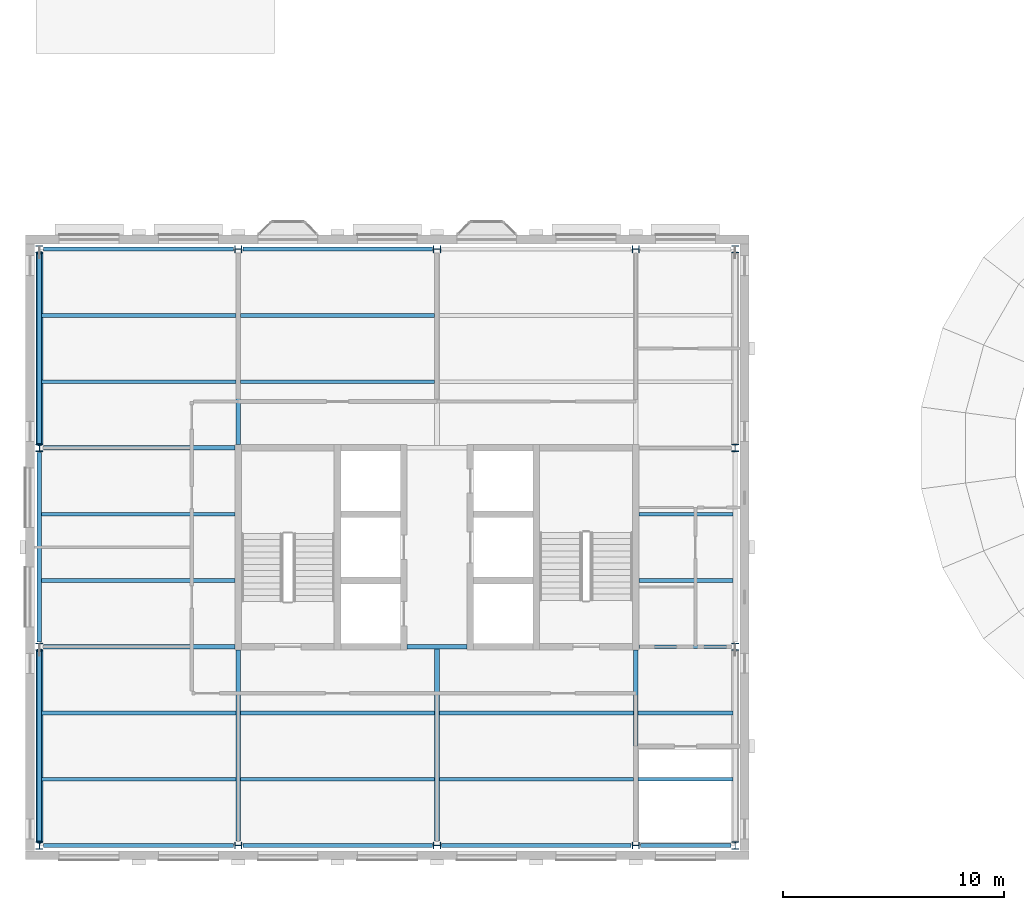
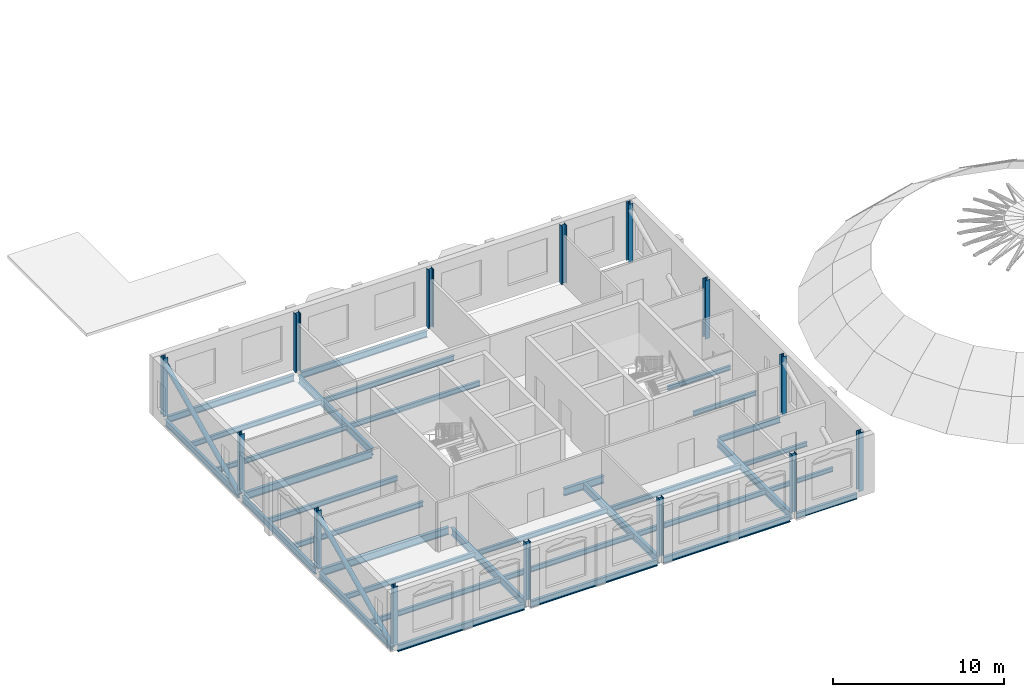
# One storey, part 1 of 15: 33 beams, 14 columns, 2 members.
"""IFC4 building model written with IfcOpenShell, lengths in metres."""

import ifcopenshell
import ifcopenshell.guid

model = None  # the IFC model being written
_history = None  # IfcOwnerHistory: only IFC2X3 demands one
_inside = {}  # id of a spatial element -> (the spatial element, [elements in it])
_under = {}  # id of a project, library or spatial element -> (it, [spatial elements below it])
_declared = {}  # id of a project -> (the project, [libraries it declares])
_typed = {}  # id of a type object -> (the type object, [elements of that type])
_made_of = {}  # id of a material, layer set ... -> (it, [elements and type objects made of it])


def new_model(schema):
    """Start an empty IFC model of exactly this schema.

    Asked for "IFC4X3", IfcOpenShell would pick the latest addendum, in which some entities
    have other attributes; the version numbers below select the first issue.
    IFC2X3 requires an IfcOwnerHistory on every rooted entity: one is made here for all.
    """
    global model, _history
    if schema == "IFC4X3":
        model = ifcopenshell.file(schema_version=(4, 3, 0, 0))
    else:
        model = ifcopenshell.file(schema=schema)
    _inside.clear()
    _under.clear()
    _declared.clear()
    _typed.clear()
    _made_of.clear()
    _history = None
    if model.schema == "IFC2X3":
        org = make("IfcOrganization", Name="unknown")
        user = make(
            "IfcPersonAndOrganization",
            ThePerson=make("IfcPerson", FamilyName="unknown"),
            TheOrganization=org,
        )
        app = make(
            "IfcApplication",
            ApplicationDeveloper=org,
            Version="unknown",
            ApplicationFullName="unknown",
            ApplicationIdentifier="unknown",
        )
        _history = make(
            "IfcOwnerHistory",
            OwningUser=user,
            OwningApplication=app,
            ChangeAction="ADDED",
            CreationDate=0,
        )
    return model


def make(cls, **values):
    """One entity of the class cls with the attributes given. An attribute that is None is left unset."""
    return model.create_entity(
        cls, **{name: value for name, value in values.items() if value is not None}
    )


def rooted(cls, **values):
    """An entity with a GlobalId (a new one), such as an element, a storey or a relation."""
    return make(cls, GlobalId=ifcopenshell.guid.new(), OwnerHistory=_history, **values)


def si_unit(unit_type, name, prefix=None):
    """IfcSIUnit, for example si_unit("LENGTHUNIT", "METRE", prefix="MILLI")."""
    return make("IfcSIUnit", UnitType=unit_type, Prefix=prefix, Name=name)


def assignment(units):
    """IfcUnitAssignment: the units of a project."""
    return None if units is None else make("IfcUnitAssignment", Units=units)


def point(xyz):
    """IfcCartesianPoint."""
    return None if xyz is None else make("IfcCartesianPoint", Coordinates=xyz)


def direction(xyz):
    """IfcDirection."""
    return None if xyz is None else make("IfcDirection", DirectionRatios=xyz)


def frame(location, z_axis=None, x_axis=None):
    """IfcAxis2Placement3D, a coordinate frame: its origin and axes. An axis left out is left unset."""
    return make(
        "IfcAxis2Placement3D",
        Location=point(location),
        Axis=direction(z_axis),
        RefDirection=direction(x_axis),
    )


def frame_2d(location, x_axis=None):
    """IfcAxis2Placement2D, a coordinate frame in the plane: its origin and x axis."""
    return make(
        "IfcAxis2Placement2D", Location=point(location), RefDirection=direction(x_axis)
    )


def origin():
    """The frame at (0, 0, 0) with its axes left unset."""
    return frame((0.0, 0.0, 0.0))


def origin_2d():
    """The frame at (0, 0) in the plane with its x axis left unset."""
    return frame_2d((0.0, 0.0))


def place(relative_to, where):
    """IfcLocalPlacement: puts the frame where relative to a parent placement (None: the world)."""
    return make(
        "IfcLocalPlacement", PlacementRelTo=relative_to, RelativePlacement=where
    )


def context(
    kind, dimensions, precision=None, world=None, true_north=None, identifier=None
):
    """IfcGeometricRepresentationContext, for example the 3D "Model" context."""
    return make(
        "IfcGeometricRepresentationContext",
        ContextIdentifier=identifier,
        ContextType=kind,
        CoordinateSpaceDimension=dimensions,
        Precision=precision,
        WorldCoordinateSystem=world,
        TrueNorth=true_north,
    )


def subcontext(parent, identifier, kind, view, scale=None):
    """IfcGeometricRepresentationSubContext, for example "Body" below "Model"."""
    return make(
        "IfcGeometricRepresentationSubContext",
        ContextIdentifier=identifier,
        ContextType=kind,
        ParentContext=parent,
        TargetScale=scale,
        TargetView=view,
    )


def project(units=None, contexts=None):
    """IfcProject with its units and contexts."""
    return rooted(
        "IfcProject",
        Name="project",
        RepresentationContexts=contexts,
        UnitsInContext=assignment(units),
    )


def spatial(cls, under=None, at=None, **own):
    """A site, building, storey or space (cls), placed at a placement, below another one or the project."""
    s = rooted(cls, ObjectPlacement=at, **own)
    if under is not None:
        _under.setdefault(under.id(), (under, []))[1].append(s)
    return s


def profile(cls, at=None, kind="AREA", **sizes):
    """A parametric profile (cls). Its sizes go by their IFC names, for example OverallWidth=200.0."""
    return make(cls, ProfileType=kind, Position=at, **sizes)


def hollow_circle(**sizes):
    """IfcCircleHollowProfileDef."""
    return profile("IfcCircleHollowProfileDef", **sizes)


def i_section(**sizes):
    """IfcIShapeProfileDef."""
    return profile("IfcIShapeProfileDef", **sizes)


def extrude(swept, where, along, depth):
    """IfcExtrudedAreaSolid: the profile swept, set in the frame where, extruded along a direction by depth."""
    return make(
        "IfcExtrudedAreaSolid",
        SweptArea=swept,
        Position=where,
        ExtrudedDirection=direction(along),
        Depth=depth,
    )


def shape(context_of_items, identifier, shape_type, items):
    """IfcShapeRepresentation: the items that make up one representation, for example the "Body"."""
    return make(
        "IfcShapeRepresentation",
        ContextOfItems=context_of_items,
        RepresentationIdentifier=identifier,
        RepresentationType=shape_type,
        Items=items,
    )


def material(Name=None, Category=None):
    """IfcMaterial."""
    return make("IfcMaterial", Name=Name, Category=Category)


def material_profile(
    of_material, cross_section, Name=None, Category=None, Priority=None
):
    """IfcMaterialProfile: a cross section and its material."""
    return make(
        "IfcMaterialProfile",
        Name=Name,
        Material=of_material,
        Profile=cross_section,
        Priority=Priority,
        Category=Category,
    )


def profile_set(profiles, Name=None, composite=None):
    """IfcMaterialProfileSet."""
    return make(
        "IfcMaterialProfileSet",
        Name=Name,
        MaterialProfiles=profiles,
        CompositeProfile=composite,
    )


def made_of(thing, what):
    """Note that an element or type object is made of a material, layer set ...; save() writes the relation."""
    if what is not None:
        _made_of.setdefault(what.id(), (what, []))[1].append(thing)
    return thing


def type_object(cls, material=None, **own):
    """A type object (cls), such as IfcWallType, which elements share."""
    return made_of(rooted(cls, **own), material)


def element(
    cls,
    number,
    at=None,
    inside=None,
    cuts=None,
    type_object=None,
    material=None,
    context=None,
    identifier="Body",
    shape_type=None,
    held_by="IfcProductDefinitionShape",
    body=None,
    shapes=None,
    **own,
):
    """One element of the class cls, such as IfcWall. Its Tag is "e" and its number.

    at: its placement. inside: the storey or other place that contains it. cuts: it is an
    opening in that element (IfcRelVoidsElement). A single representation is given by context,
    identifier, shape_type and body (its items); several are given by shapes. held_by: the class
    of the entity that holds the representations. save() writes the other relations.
    """
    e = rooted(cls, Tag="e%d" % number, ObjectPlacement=at, **own)
    if body is not None:
        shapes = [shape(context, identifier, shape_type, body)]
    if shapes is not None:
        e.Representation = make(held_by, Representations=shapes)
    if inside is not None:
        _inside.setdefault(inside.id(), (inside, []))[1].append(e)
    if cuts is not None:
        rooted(
            "IfcRelVoidsElement", RelatingBuildingElement=cuts, RelatedOpeningElement=e
        )
    if type_object is not None:
        _typed.setdefault(type_object.id(), (type_object, []))[1].append(e)
    return made_of(e, material)


def aggregate(whole, parts):
    """IfcRelAggregates: a whole, such as a stair, and the parts it consists of."""
    return rooted("IfcRelAggregates", RelatingObject=whole, RelatedObjects=parts)


def save(model, path):
    """Write the relations noted so far, then the file.

    IfcRelAggregates (storeys below a building ...), IfcRelContainedInSpatialStructure (elements
    in a storey), IfcRelDefinesByType, IfcRelAssociatesMaterial and IfcRelDeclares: one each for
    every whole, place, type object, material and project.
    """
    for whole, parts in _under.values():
        aggregate(whole, parts)
    for where, things in _inside.values():
        rooted(
            "IfcRelContainedInSpatialStructure",
            RelatedElements=things,
            RelatingStructure=where,
        )
    for kind, things in _typed.values():
        rooted("IfcRelDefinesByType", RelatedObjects=things, RelatingType=kind)
    for what, things in _made_of.values():
        rooted("IfcRelAssociatesMaterial", RelatedObjects=things, RelatingMaterial=what)
    for by, libraries in _declared.values():
        rooted("IfcRelDeclares", RelatingContext=by, RelatedDefinitions=libraries)
    model.write(path)


model = new_model("IFC4")

# Units and contexts
model_context = context("Model", 3, precision=1e-05, world=origin(), true_north=direction((0.0, 1.0)))
body_context = subcontext(model_context, "Body", "Model", "MODEL_VIEW")
ifc_project = project(units=[si_unit("LENGTHUNIT", "METRE"), si_unit("AREAUNIT", "SQUARE_METRE"), si_unit("VOLUMEUNIT", "CUBIC_METRE"), si_unit("PLANEANGLEUNIT", "RADIAN"), si_unit("MASSUNIT", "GRAM", prefix="KILO")], contexts=[model_context])

# Site, building, storey
site_placement = place(None, origin())
site = spatial("IfcSite", under=ifc_project, at=site_placement, CompositionType="ELEMENT")
building_placement = place(site_placement, origin())
building = spatial("IfcBuilding", under=site, at=building_placement, Name="Hortulan Conservatory and Botanical Research Centre", CompositionType="ELEMENT")
storey_placement = place(building_placement, frame((0.0, 0.0, 23.39990234375)))
storey = spatial("IfcBuildingStorey", under=building, at=storey_placement, Name="L05", CompositionType="ELEMENT", Elevation=23.39990234375)

# Columns
ifc_material_1 = material(Name="Steel Grade 300PLUS (AS/NZS 3679.1, 280 MPa minimum yield)", Category="steel")
ifc_material_profile_1 = material_profile(ifc_material_1, i_section(OverallWidth=0.31103515625, OverallDepth=0.326904296875, WebThickness=0.015625, FlangeThickness=0.02490234375, FilletRadius=0.0166015625, at=origin_2d()), Name="310UC158")
ifc_profile_set_1 = profile_set([ifc_material_profile_1], Name="Steel Grade 300PLUS (AS/NZS 3679.1, 280 MPa minimum yield)")
column_type = type_object("IfcColumnType", Name="Tower Column 310UC158", PredefinedType="COLUMN", material=ifc_profile_set_1)
for number, where, z_axis, x_axis, name in (
    (1, (0.0, 0.0, 0.0), (0.0, 0.0, 1.0), (1.0, 0.0, 0.0), "310UC158 column"),
    (2, (0.0, 9.0, 0.0), (0.0, 0.0, 1.0), (1.0, 0.0, 0.0), "310UC158 column"),
    (3, (0.0, 18.0, 0.0), (0.0, 0.0, 1.0), (1.0, 0.0, 0.0), "310UC158 column"),
    (4, (0.0, 27.0, 0.0), (0.0, 0.0, 1.0), (1.0, 0.0, 0.0), "310UC158 column"),
    (5, (9.0, 0.0, 0.0), (0.0, 0.0, 1.0), (0.0, 1.0, 0.0), "310UC158 column"),
    (6, (9.0, 27.0, 0.0), (0.0, 0.0, 1.0), (0.0, 1.0, 0.0), "310UC158 column"),
    (7, (18.0, 0.0, 0.0), (0.0, 0.0, 1.0), (0.0, 1.0, 0.0), "310UC158 column"),
    (8, (18.0, 27.0, 0.0), (0.0, 0.0, 1.0), (0.0, 1.0, 0.0), "310UC158 column"),
    (9, (27.0, 0.0, 0.0), (0.0, 0.0, 1.0), (0.0, 1.0, 0.0), "310UC158 column"),
    (10, (27.0, 27.0, 0.0), (0.0, 0.0, 1.0), (0.0, 1.0, 0.0), "310UC158 column"),
    (11, (31.5, 0.0, 0.0), (0.0, 0.0, 1.0), (1.0, 0.0, 0.0), "310UC158 column"),
    (12, (31.5, 9.0, 0.0), (0.0, 0.0, 1.0), (1.0, 0.0, 0.0), "310UC158 column"),
    (13, (31.5, 18.0, 0.0), (0.0, 0.0, 1.0), (1.0, 0.0, 0.0), "310UC158 column"),
    (14, (31.5, 27.0, 0.0), (0.0, 0.0, 1.0), (1.0, 0.0, 0.0), "310UC158 column"),
):
    element("IfcColumn", number, at=place(storey_placement, frame(where, z_axis=z_axis, x_axis=x_axis)), inside=storey, type_object=column_type, Name=name, PredefinedType="COLUMN", context=body_context, shape_type="SweptSolid", body=[
        extrude(i_section(OverallWidth=0.31103515625, OverallDepth=0.326904296875, WebThickness=0.015625, FlangeThickness=0.02490234375, FilletRadius=0.0166015625, at=origin_2d()), origin(), (0.0, 0.0, 1.0), 4.2001953125),
    ])

# Members
ifc_material_2 = material(Name="Steel Grade C350L0 (350 MPa, AS/NZS 1163)", Category="steel")
ifc_material_profile_2 = material_profile(ifc_material_2, hollow_circle(Radius=0.161865234375, WallThickness=0.009521484375, at=origin_2d()), Name="323.9x9.5CHS")
ifc_profile_set_2 = profile_set([ifc_material_profile_2], Name="Steel Grade C350L0 (350 MPa, AS/NZS 1163)")
member_type = type_object("IfcMemberType", Name="Brace 323.9x9.5CHS", PredefinedType="BRACE", material=ifc_profile_set_2)
for number, where, z_axis, x_axis, name in (
    (15, (0.0, 0.16357421875, -0.28369140625), (0.0, 0.906172061076, 0.422909205061), (-1.0, 0.0, 0.0), "323.9x9.5CHS brace"),
    (16, (0.0, 18.16357421875, -0.28369140625), (0.0, 0.906172061076, 0.422909205061), (-1.0, 0.0, 0.0), "323.9x9.5CHS brace"),
):
    element("IfcMember", number, at=place(storey_placement, frame(where, z_axis=z_axis, x_axis=x_axis)), inside=storey, type_object=member_type, Name=name, PredefinedType="BRACE", context=body_context, shape_type="SweptSolid", body=[
        extrude(hollow_circle(Radius=0.161865234375, WallThickness=0.009521484375, at=origin_2d()), origin(), (0.0, 0.0, 1.0), 9.57080078125),
    ])

# Beams
ifc_material_profile_3 = material_profile(ifc_material_1, i_section(OverallWidth=0.177978515625, OverallDepth=0.403076171875, WebThickness=0.007568359375, FlangeThickness=0.010986328125, FilletRadius=0.011474609375, at=origin_2d()), Name="410UB53.7")
ifc_profile_set_3 = profile_set([ifc_material_profile_3], Name="Steel Grade 300PLUS (AS/NZS 3679.1, 280 MPa minimum yield)")
beam_type_1 = type_object("IfcBeamType", Name="Primary Beam 410UB53.7", PredefinedType="BEAM", material=ifc_profile_set_3)
beam_1_placement = place(storey_placement, frame((27.2109375, 0.0, -0.331298828125), z_axis=(1.0, 0.0, 0.0), x_axis=(0.0, 1.0, 0.0)))
element("IfcBeam", 17, at=beam_1_placement, inside=storey, type_object=beam_type_1, Name="410UB53.7 girder", PredefinedType="BEAM", context=body_context, shape_type="SweptSolid", body=[
    extrude(i_section(OverallWidth=0.177978515625, OverallDepth=0.403076171875, WebThickness=0.007568359375, FlangeThickness=0.010986328125, FilletRadius=0.011474609375, at=origin_2d()), origin(), (0.0, 0.0, 1.0), 4.089111328125),
])
beam_2_placement = place(storey_placement, frame((27.14990234375, 9.0, -0.331298828125), z_axis=(1.0, 0.0, 0.0), x_axis=(0.0, 1.0, 0.0)))
element("IfcBeam", 18, at=beam_2_placement, inside=storey, type_object=beam_type_1, Name="410UB53.7 girder", PredefinedType="BEAM", context=body_context, shape_type="SweptSolid", body=[
    extrude(i_section(OverallWidth=0.177978515625, OverallDepth=0.403076171875, WebThickness=0.007568359375, FlangeThickness=0.010986328125, FilletRadius=0.011474609375, at=origin_2d()), origin(), (0.0, 0.0, 1.0), 4.150146484375),
])
ifc_material_profile_4 = material_profile(ifc_material_1, i_section(OverallWidth=0.19091796875, OverallDepth=0.4599609375, WebThickness=0.010009765625, FlangeThickness=0.01611328125, FilletRadius=0.011474609375, at=origin_2d()), Name="460UB82.1")
ifc_profile_set_4 = profile_set([ifc_material_profile_4], Name="Steel Grade 300PLUS (AS/NZS 3679.1, 280 MPa minimum yield)")
beam_type_2 = type_object("IfcBeamType", Name="Primary Beam 460UB82.1", PredefinedType="BEAM", material=ifc_profile_set_4)
beam_3_placement = place(storey_placement, frame((0.0, 0.2109375, -0.35986328125), z_axis=(0.0, 1.0, 0.0), x_axis=(-1.0, 0.0, 0.0)))
element("IfcBeam", 19, at=beam_3_placement, inside=storey, type_object=beam_type_2, Name="460UB82.1 girder", PredefinedType="BEAM", context=body_context, shape_type="SweptSolid", body=[
    extrude(i_section(OverallWidth=0.19091796875, OverallDepth=0.4599609375, WebThickness=0.010009765625, FlangeThickness=0.01611328125, FilletRadius=0.011474609375, at=origin_2d()), origin(), (0.0, 0.0, 1.0), 8.578125),
])
beam_4_placement = place(storey_placement, frame((0.199951171875, 0.0, -0.35986328125), z_axis=(1.0, 0.0, 0.0), x_axis=(0.0, 1.0, 0.0)))
element("IfcBeam", 20, at=beam_4_placement, inside=storey, type_object=beam_type_2, Name="460UB82.1 girder", PredefinedType="BEAM", context=body_context, shape_type="SweptSolid", body=[
    extrude(i_section(OverallWidth=0.19091796875, OverallDepth=0.4599609375, WebThickness=0.010009765625, FlangeThickness=0.01611328125, FilletRadius=0.011474609375, at=origin_2d()), origin(), (0.0, 0.0, 1.0), 8.589111328125),
])
for number, where, z_axis, x_axis, name in (
    (21, (0.0, 9.2109375, -0.35986328125), (0.0, 1.0, 0.0), (-1.0, 0.0, 0.0), "460UB82.1 girder"),
    (22, (0.0, 18.2109375, -0.35986328125), (0.0, 1.0, 0.0), (-1.0, 0.0, 0.0), "460UB82.1 girder"),
):
    element("IfcBeam", number, at=place(storey_placement, frame(where, z_axis=z_axis, x_axis=x_axis)), inside=storey, type_object=beam_type_2, Name=name, PredefinedType="BEAM", context=body_context, shape_type="SweptSolid", body=[
        extrude(i_section(OverallWidth=0.19091796875, OverallDepth=0.4599609375, WebThickness=0.010009765625, FlangeThickness=0.01611328125, FilletRadius=0.011474609375, at=origin_2d()), origin(), (0.0, 0.0, 1.0), 8.578125),
    ])
beam_5_placement = place(storey_placement, frame((0.199951171875, 27.0, -0.35986328125), z_axis=(1.0, 0.0, 0.0), x_axis=(0.0, 1.0, 0.0)))
element("IfcBeam", 23, at=beam_5_placement, inside=storey, type_object=beam_type_2, Name="460UB82.1 girder", PredefinedType="BEAM", context=body_context, shape_type="SweptSolid", body=[
    extrude(i_section(OverallWidth=0.19091796875, OverallDepth=0.4599609375, WebThickness=0.010009765625, FlangeThickness=0.01611328125, FilletRadius=0.011474609375, at=origin_2d()), origin(), (0.0, 0.0, 1.0), 8.589111328125),
])
for number, where, z_axis, x_axis, name in (
    (24, (9.2109375, 0.0, -0.35986328125), (1.0, 0.0, 0.0), (0.0, 1.0, 0.0), "460UB82.1 girder"),
    (25, (9.2109375, 27.0, -0.35986328125), (1.0, 0.0, 0.0), (0.0, 1.0, 0.0), "460UB82.1 girder"),
    (26, (18.2109375, 0.0, -0.35986328125), (1.0, 0.0, 0.0), (0.0, 1.0, 0.0), "460UB82.1 girder"),
):
    element("IfcBeam", number, at=place(storey_placement, frame(where, z_axis=z_axis, x_axis=x_axis)), inside=storey, type_object=beam_type_2, Name=name, PredefinedType="BEAM", context=body_context, shape_type="SweptSolid", body=[
        extrude(i_section(OverallWidth=0.19091796875, OverallDepth=0.4599609375, WebThickness=0.010009765625, FlangeThickness=0.01611328125, FilletRadius=0.011474609375, at=origin_2d()), origin(), (0.0, 0.0, 1.0), 8.578125),
    ])
ifc_material_profile_5 = material_profile(ifc_material_1, i_section(OverallWidth=0.208984375, OverallDepth=0.532958984375, WebThickness=0.01025390625, FlangeThickness=0.015625, FilletRadius=0.013916015625, at=origin_2d()), Name="530UB92.4")
ifc_profile_set_5 = profile_set([ifc_material_profile_5], Name="Steel Grade 300PLUS (AS/NZS 3679.1, 280 MPa minimum yield)")
beam_type_3 = type_object("IfcBeamType", Name="Primary Beam 530UB92.4", PredefinedType="BEAM", material=ifc_profile_set_5)
for number, where, z_axis, x_axis, name in (
    (27, (0.199951171875, 9.0, -0.396484375), (1.0, 0.0, 0.0), (0.0, 1.0, 0.0), "530UB92.4 girder"),
    (28, (0.199951171875, 18.0, -0.396484375), (1.0, 0.0, 0.0), (0.0, 1.0, 0.0), "530UB92.4 girder"),
    (29, (9.0, 0.199951171875, -0.396484375), (0.0, 1.0, 0.0), (-1.0, 0.0, 0.0), "530UB92.4 girder"),
    (30, (9.0, 18.14990234375, -0.396484375), (0.0, 1.0, 0.0), (-1.0, 0.0, 0.0), "530UB92.4 girder"),
):
    element("IfcBeam", number, at=place(storey_placement, frame(where, z_axis=z_axis, x_axis=x_axis)), inside=storey, type_object=beam_type_3, Name=name, PredefinedType="BEAM", context=body_context, shape_type="SweptSolid", body=[
        extrude(i_section(OverallWidth=0.208984375, OverallDepth=0.532958984375, WebThickness=0.01025390625, FlangeThickness=0.015625, FilletRadius=0.013916015625, at=origin_2d()), origin(), (0.0, 0.0, 1.0), 8.650146484375),
    ])
beam_6_placement = place(storey_placement, frame((16.64990234375, 9.0, -0.396484375), z_axis=(1.0, 0.0, 0.0), x_axis=(0.0, 1.0, 0.0)))
element("IfcBeam", 31, at=beam_6_placement, inside=storey, type_object=beam_type_3, Name="530UB92.4 girder", PredefinedType="BEAM", context=body_context, shape_type="SweptSolid", body=[
    extrude(i_section(OverallWidth=0.208984375, OverallDepth=0.532958984375, WebThickness=0.01025390625, FlangeThickness=0.015625, FilletRadius=0.013916015625, at=origin_2d()), origin(), (0.0, 0.0, 1.0), 2.7001953125),
])
beam_7_placement = place(storey_placement, frame((18.0, 0.199951171875, -0.396484375), z_axis=(0.0, 1.0, 0.0), x_axis=(-1.0, 0.0, 0.0)))
element("IfcBeam", 32, at=beam_7_placement, inside=storey, type_object=beam_type_3, Name="530UB92.4 girder", PredefinedType="BEAM", context=body_context, shape_type="SweptSolid", body=[
    extrude(i_section(OverallWidth=0.208984375, OverallDepth=0.532958984375, WebThickness=0.01025390625, FlangeThickness=0.015625, FilletRadius=0.013916015625, at=origin_2d()), origin(), (0.0, 0.0, 1.0), 8.800048828125),
])
beam_8_placement = place(storey_placement, frame((27.0, 0.199951171875, -0.396484375), z_axis=(0.0, 1.0, 0.0), x_axis=(-1.0, 0.0, 0.0)))
element("IfcBeam", 33, at=beam_8_placement, inside=storey, type_object=beam_type_3, Name="530UB92.4 girder", PredefinedType="BEAM", context=body_context, shape_type="SweptSolid", body=[
    extrude(i_section(OverallWidth=0.208984375, OverallDepth=0.532958984375, WebThickness=0.01025390625, FlangeThickness=0.015625, FilletRadius=0.013916015625, at=origin_2d()), origin(), (0.0, 0.0, 1.0), 8.650146484375),
])
ifc_material_profile_6 = material_profile(ifc_material_1, i_section(OverallWidth=0.1650390625, OverallDepth=0.303955078125, WebThickness=0.006103515625, FlangeThickness=0.01025390625, FilletRadius=0.011474609375, at=origin_2d()), Name="310UB40.4")
ifc_profile_set_6 = profile_set([ifc_material_profile_6], Name="Steel Grade 300PLUS (AS/NZS 3679.1, 280 MPa minimum yield)")
beam_type_4 = type_object("IfcBeamType", Name="Secondary Beam 310UB40.4", PredefinedType="JOIST", material=ifc_profile_set_6)
for number, where, z_axis, x_axis, name in (
    (34, (27.1044921875, 3.0, -0.281982421875), (1.0, 0.0, 0.0), (0.0, 1.0, 0.0), "310UB40.4 secondary beam"),
    (35, (27.1044921875, 6.0, -0.281982421875), (1.0, 0.0, 0.0), (0.0, 1.0, 0.0), "310UB40.4 secondary beam"),
):
    element("IfcBeam", number, at=place(storey_placement, frame(where, z_axis=z_axis, x_axis=x_axis)), inside=storey, type_object=beam_type_4, Name=name, PredefinedType="JOIST", context=body_context, shape_type="SweptSolid", body=[
        extrude(i_section(OverallWidth=0.1650390625, OverallDepth=0.303955078125, WebThickness=0.006103515625, FlangeThickness=0.01025390625, FilletRadius=0.011474609375, at=origin_2d()), origin(), (0.0, 0.0, 1.0), 4.300048828125),
    ])
for number, where, z_axis, x_axis, name in (
    (36, (27.14990234375, 12.0, -0.281982421875), (1.0, 0.0, 0.0), (0.0, 1.0, 0.0), "310UB40.4 secondary beam"),
    (37, (27.14990234375, 15.0, -0.281982421875), (1.0, 0.0, 0.0), (0.0, 1.0, 0.0), "310UB40.4 secondary beam"),
):
    element("IfcBeam", number, at=place(storey_placement, frame(where, z_axis=z_axis, x_axis=x_axis)), inside=storey, type_object=beam_type_4, Name=name, PredefinedType="JOIST", context=body_context, shape_type="SweptSolid", body=[
        extrude(i_section(OverallWidth=0.1650390625, OverallDepth=0.303955078125, WebThickness=0.006103515625, FlangeThickness=0.01025390625, FilletRadius=0.011474609375, at=origin_2d()), origin(), (0.0, 0.0, 1.0), 4.254638671875),
    ])
ifc_material_profile_7 = material_profile(ifc_material_1, i_section(OverallWidth=0.172119140625, OverallDepth=0.35888671875, WebThickness=0.008056640625, FlangeThickness=0.012939453125, FilletRadius=0.011474609375, at=origin_2d()), Name="360UB56.7")
ifc_profile_set_7 = profile_set([ifc_material_profile_7], Name="Steel Grade 300PLUS (AS/NZS 3679.1, 280 MPa minimum yield)")
beam_type_5 = type_object("IfcBeamType", Name="Secondary Beam 360UB56.7", PredefinedType="JOIST", material=ifc_profile_set_7)
for number, where, z_axis, x_axis, name in (
    (38, (0.095458984375, 3.0, -0.309326171875), (1.0, 0.0, 0.0), (0.0, 1.0, 0.0), "360UB56.7 secondary beam"),
    (39, (0.095458984375, 6.0, -0.309326171875), (1.0, 0.0, 0.0), (0.0, 1.0, 0.0), "360UB56.7 secondary beam"),
):
    element("IfcBeam", number, at=place(storey_placement, frame(where, z_axis=z_axis, x_axis=x_axis)), inside=storey, type_object=beam_type_5, Name=name, PredefinedType="JOIST", context=body_context, shape_type="SweptSolid", body=[
        extrude(i_section(OverallWidth=0.172119140625, OverallDepth=0.35888671875, WebThickness=0.008056640625, FlangeThickness=0.012939453125, FilletRadius=0.011474609375, at=origin_2d()), origin(), (0.0, 0.0, 1.0), 8.800048828125),
    ])
for number, where, z_axis, x_axis, name in (
    (40, (0.095458984375, 12.0, -0.309326171875), (1.0, 0.0, 0.0), (0.0, 1.0, 0.0), "360UB56.7 secondary beam"),
    (41, (0.095458984375, 15.0, -0.309326171875), (1.0, 0.0, 0.0), (0.0, 1.0, 0.0), "360UB56.7 secondary beam"),
):
    element("IfcBeam", number, at=place(storey_placement, frame(where, z_axis=z_axis, x_axis=x_axis)), inside=storey, type_object=beam_type_5, Name=name, PredefinedType="JOIST", context=body_context, shape_type="SweptSolid", body=[
        extrude(i_section(OverallWidth=0.172119140625, OverallDepth=0.35888671875, WebThickness=0.008056640625, FlangeThickness=0.012939453125, FilletRadius=0.011474609375, at=origin_2d()), origin(), (0.0, 0.0, 1.0), 8.754638671875),
    ])
for number, where, z_axis, x_axis, name in (
    (42, (0.095458984375, 21.0, -0.309326171875), (1.0, 0.0, 0.0), (0.0, 1.0, 0.0), "360UB56.7 secondary beam"),
    (43, (0.095458984375, 24.0, -0.309326171875), (1.0, 0.0, 0.0), (0.0, 1.0, 0.0), "360UB56.7 secondary beam"),
):
    element("IfcBeam", number, at=place(storey_placement, frame(where, z_axis=z_axis, x_axis=x_axis)), inside=storey, type_object=beam_type_5, Name=name, PredefinedType="JOIST", context=body_context, shape_type="SweptSolid", body=[
        extrude(i_section(OverallWidth=0.172119140625, OverallDepth=0.35888671875, WebThickness=0.008056640625, FlangeThickness=0.012939453125, FilletRadius=0.011474609375, at=origin_2d()), origin(), (0.0, 0.0, 1.0), 8.800048828125),
    ])
for number, where, z_axis, x_axis, name in (
    (44, (9.1044921875, 3.0, -0.309326171875), (1.0, 0.0, 0.0), (0.0, 1.0, 0.0), "360UB56.7 secondary beam"),
    (45, (9.1044921875, 6.0, -0.309326171875), (1.0, 0.0, 0.0), (0.0, 1.0, 0.0), "360UB56.7 secondary beam"),
    (46, (9.1044921875, 21.0, -0.309326171875), (1.0, 0.0, 0.0), (0.0, 1.0, 0.0), "360UB56.7 secondary beam"),
    (47, (9.1044921875, 24.0, -0.309326171875), (1.0, 0.0, 0.0), (0.0, 1.0, 0.0), "360UB56.7 secondary beam"),
    (48, (18.1044921875, 3.0, -0.309326171875), (1.0, 0.0, 0.0), (0.0, 1.0, 0.0), "360UB56.7 secondary beam"),
    (49, (18.1044921875, 6.0, -0.309326171875), (1.0, 0.0, 0.0), (0.0, 1.0, 0.0), "360UB56.7 secondary beam"),
):
    element("IfcBeam", number, at=place(storey_placement, frame(where, z_axis=z_axis, x_axis=x_axis)), inside=storey, type_object=beam_type_5, Name=name, PredefinedType="JOIST", context=body_context, shape_type="SweptSolid", body=[
        extrude(i_section(OverallWidth=0.172119140625, OverallDepth=0.35888671875, WebThickness=0.008056640625, FlangeThickness=0.012939453125, FilletRadius=0.011474609375, at=origin_2d()), origin(), (0.0, 0.0, 1.0), 8.791015625),
    ])

save(model, "model.ifc")
